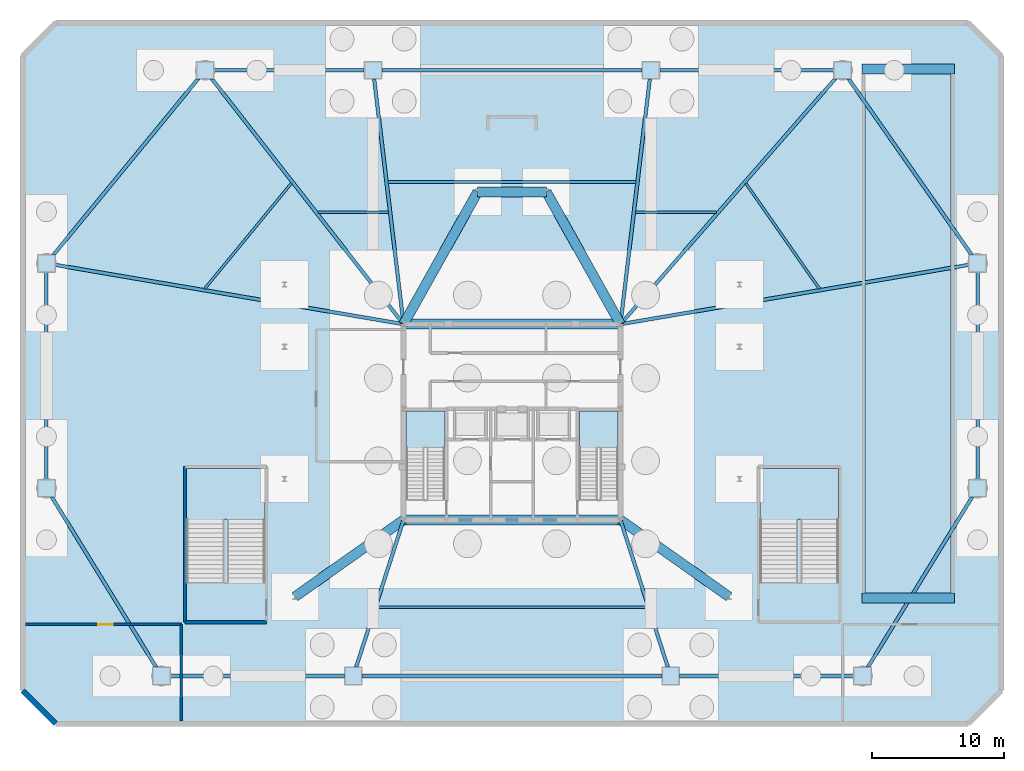
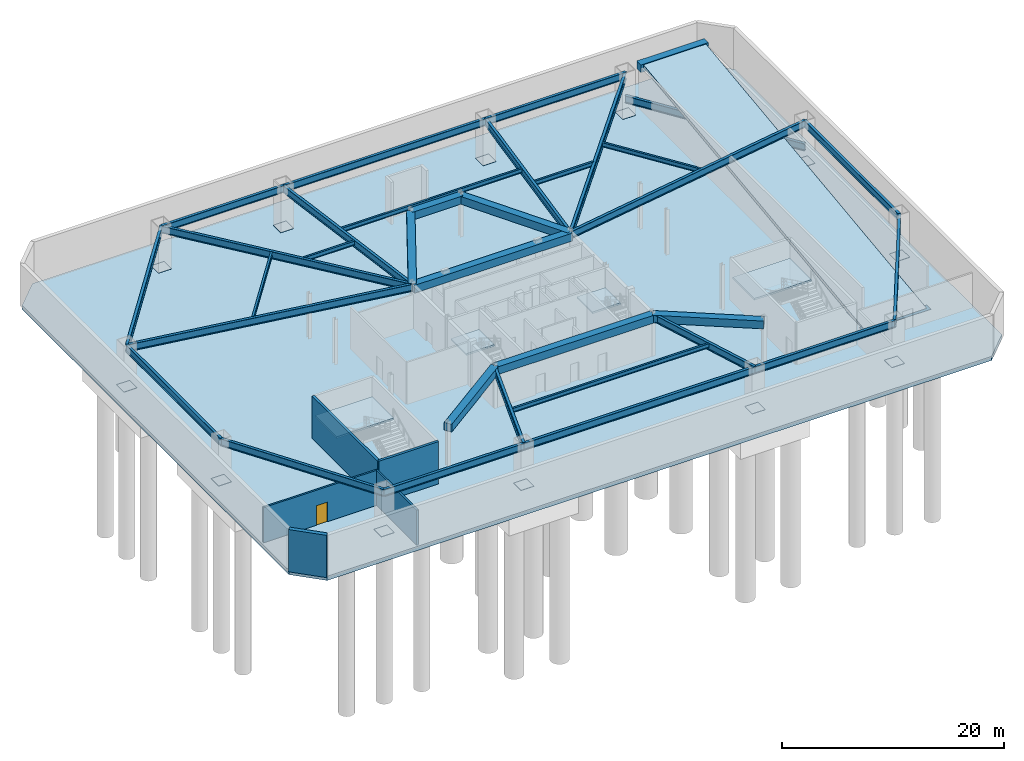
# One storey, part 6 of 12: 35 beams, 12 plates, 6 slabs, 5 walls, 1 door, 1 opening, 4 elements without a shape of their own.
"""IFC4 building model written with IfcOpenShell, lengths in metres."""

from ifc_helpers import new_model, si_unit, direction, frame, frame_2d, origin, origin_2d, place, context, subcontext, project, spatial, polyline, rectangle, i_section, outline, extrude, source, transform, mapped, material, layer, layer_set, material_profile, profile_set, type_object, type_shapes, element, fill, aggregate, save


model = new_model("IFC4")

# Units and contexts
model_context = context("Model", 3, precision=1e-05, world=origin(), true_north=direction((0.0, 1.0)))
body_context = subcontext(model_context, "Body", "Model", "MODEL_VIEW")
ifc_project = project(units=[si_unit("LENGTHUNIT", "METRE"), si_unit("AREAUNIT", "SQUARE_METRE"), si_unit("VOLUMEUNIT", "CUBIC_METRE"), si_unit("PLANEANGLEUNIT", "RADIAN"), si_unit("MASSUNIT", "GRAM", prefix="KILO")], contexts=[model_context])

# Site, building, storey
site_placement = place(None, origin())
site = spatial("IfcSite", under=ifc_project, at=site_placement, CompositionType="ELEMENT")
building_placement = place(site_placement, origin())
building = spatial("IfcBuilding", under=site, at=building_placement, Name="Varakhsha Concourse Tower", CompositionType="ELEMENT")
storey_placement = place(building_placement, frame((0.0, 0.0, -10.0)))
storey = spatial("IfcBuildingStorey", under=building, at=storey_placement, Name="B02", CompositionType="ELEMENT", Elevation=-10.0)

# Beams
ifc_material_1 = material(Name="Structural Steel ASTM A992 Grade 50", Category="steel")
ifc_material_profile_1 = material_profile(ifc_material_1, i_section(OverallWidth=0.26611328125, OverallDepth=0.779052734375, WebThickness=0.01708984375, FlangeThickness=0.030029296875, at=origin_2d()), Name="W30X148")
ifc_profile_set_1 = profile_set([ifc_material_profile_1], Name="Structural Steel ASTM A992 Grade 50")
beam_type_1 = type_object("IfcBeamType", Name="BM-BASE-W30X148", PredefinedType="USERDEFINED", material=ifc_profile_set_1)
beam_1_placement = place(storey_placement, frame((13.5, 4.60009765625, 4.25048828125), z_axis=(1.0, 0.0, 0.0), x_axis=(0.0, 1.0, 0.0)))
element("IfcBeam", 1, at=beam_1_placement, inside=storey, type_object=beam_type_1, Name="BM-PRING-B02-01", ObjectType="GIRDER", PredefinedType="USERDEFINED", context=body_context, shape_type="SweptSolid", body=[
    extrude(i_section(OverallWidth=0.26611328125, OverallDepth=0.779052734375, WebThickness=0.01708984375, FlangeThickness=0.030029296875, at=origin_2d()), origin(), (0.0, 0.0, 1.0), 14.5),
])
beam_2_placement = place(storey_placement, frame((28.0, 4.60009765625, 4.25048828125), z_axis=(1.0, 0.0, 0.0), x_axis=(0.0, 1.0, 0.0)))
element("IfcBeam", 2, at=beam_2_placement, inside=storey, type_object=beam_type_1, Name="BM-PRING-B02-02", ObjectType="GIRDER", PredefinedType="USERDEFINED", context=body_context, shape_type="SweptSolid", body=[
    extrude(i_section(OverallWidth=0.26611328125, OverallDepth=0.779052734375, WebThickness=0.01708984375, FlangeThickness=0.030029296875, at=origin_2d()), origin(), (0.0, 0.0, 1.0), 24.0),
])
beam_3_placement = place(storey_placement, frame((52.0, 4.60009765625, 4.25048828125), z_axis=(1.0, 0.0, 0.0), x_axis=(0.0, 1.0, 0.0)))
element("IfcBeam", 3, at=beam_3_placement, inside=storey, type_object=beam_type_1, Name="BM-PRING-B02-03", ObjectType="GIRDER", PredefinedType="USERDEFINED", context=body_context, shape_type="SweptSolid", body=[
    extrude(i_section(OverallWidth=0.26611328125, OverallDepth=0.779052734375, WebThickness=0.01708984375, FlangeThickness=0.030029296875, at=origin_2d()), origin(), (0.0, 0.0, 1.0), 14.5),
])
beam_4_placement = place(storey_placement, frame((66.5, 4.60009765625, 4.25048828125), z_axis=(0.522420415639, 0.852688049244, 0.0), x_axis=(-0.852688049244, 0.522420415639, 0.0)))
element("IfcBeam", 4, at=beam_4_placement, inside=storey, type_object=beam_type_1, Name="BM-PRING-B02-04", ObjectType="GIRDER", PredefinedType="USERDEFINED", context=body_context, shape_type="SweptSolid", body=[
    extrude(i_section(OverallWidth=0.26611328125, OverallDepth=0.779052734375, WebThickness=0.01708984375, FlangeThickness=0.030029296875, at=origin_2d()), origin(), (0.0, 0.0, 1.0), 16.653076171875),
])
beam_5_placement = place(storey_placement, frame((75.199951171875, 18.800048828125, 4.25048828125), z_axis=(0.0, 1.0, 0.0), x_axis=(-1.0, 0.0, 0.0)))
element("IfcBeam", 5, at=beam_5_placement, inside=storey, type_object=beam_type_1, Name="BM-PRING-B02-05", ObjectType="GIRDER", PredefinedType="USERDEFINED", context=body_context, shape_type="SweptSolid", body=[
    extrude(i_section(OverallWidth=0.26611328125, OverallDepth=0.779052734375, WebThickness=0.01708984375, FlangeThickness=0.030029296875, at=origin_2d()), origin(), (0.0, 0.0, 1.0), 17.0),
])
beam_6_placement = place(storey_placement, frame((75.199951171875, 35.800048828125, 1.660400390625), z_axis=(-0.572710457839, 0.819757727309, 0.0), x_axis=(-0.819757727309, -0.572710457839, 0.0)))
element("IfcBeam", 6, at=beam_6_placement, inside=storey, type_object=beam_type_1, Name="BM-PRING-B02-06", ObjectType="GIRDER", PredefinedType="USERDEFINED", context=body_context, shape_type="SweptSolid", body=[
    extrude(i_section(OverallWidth=0.26611328125, OverallDepth=0.779052734375, WebThickness=0.01708984375, FlangeThickness=0.030029296875, at=origin_2d()), origin(), (0.0, 0.0, 1.0), 17.81005859375),
])
beam_7_placement = place(storey_placement, frame((65.0, 50.39990234375, 4.25048828125), z_axis=(-1.0, 0.0, 0.0), x_axis=(0.0, -1.0, 0.0)))
element("IfcBeam", 7, at=beam_7_placement, inside=storey, type_object=beam_type_1, Name="BM-PRING-B02-07", ObjectType="GIRDER", PredefinedType="USERDEFINED", context=body_context, shape_type="SweptSolid", body=[
    extrude(i_section(OverallWidth=0.26611328125, OverallDepth=0.779052734375, WebThickness=0.01708984375, FlangeThickness=0.030029296875, at=origin_2d()), origin(), (0.0, 0.0, 1.0), 14.5),
])
beam_8_placement = place(storey_placement, frame((50.5, 50.39990234375, 4.25048828125), z_axis=(-1.0, 0.0, 0.0), x_axis=(0.0, -1.0, 0.0)))
element("IfcBeam", 8, at=beam_8_placement, inside=storey, type_object=beam_type_1, Name="BM-PRING-B02-08", ObjectType="GIRDER", PredefinedType="USERDEFINED", context=body_context, shape_type="SweptSolid", body=[
    extrude(i_section(OverallWidth=0.26611328125, OverallDepth=0.779052734375, WebThickness=0.01708984375, FlangeThickness=0.030029296875, at=origin_2d()), origin(), (0.0, 0.0, 1.0), 21.0),
])
beam_9_placement = place(storey_placement, frame((29.5, 50.39990234375, 4.25048828125), z_axis=(-1.0, 0.0, 0.0), x_axis=(0.0, -1.0, 0.0)))
element("IfcBeam", 9, at=beam_9_placement, inside=storey, type_object=beam_type_1, Name="BM-PRING-B02-09", ObjectType="GIRDER", PredefinedType="USERDEFINED", context=body_context, shape_type="SweptSolid", body=[
    extrude(i_section(OverallWidth=0.26611328125, OverallDepth=0.779052734375, WebThickness=0.01708984375, FlangeThickness=0.030029296875, at=origin_2d()), origin(), (0.0, 0.0, 1.0), 12.699951171875),
])
beam_10_placement = place(storey_placement, frame((16.800048828125, 50.39990234375, 4.25048828125), z_axis=(-0.634968877859, -0.772537716976, 0.0), x_axis=(0.772537716976, -0.634968877859, 0.0)))
element("IfcBeam", 10, at=beam_10_placement, inside=storey, type_object=beam_type_1, Name="BM-PRING-B02-10", ObjectType="GIRDER", PredefinedType="USERDEFINED", context=body_context, shape_type="SweptSolid", body=[
    extrude(i_section(OverallWidth=0.26611328125, OverallDepth=0.779052734375, WebThickness=0.01708984375, FlangeThickness=0.030029296875, at=origin_2d()), origin(), (0.0, 0.0, 1.0), 18.898681640625),
])
beam_11_placement = place(storey_placement, frame((4.800048828125, 35.800048828125, 4.25048828125), z_axis=(0.0, -1.0, 0.0), x_axis=(1.0, 0.0, 0.0)))
element("IfcBeam", 11, at=beam_11_placement, inside=storey, type_object=beam_type_1, Name="BM-PRING-B02-11", ObjectType="GIRDER", PredefinedType="USERDEFINED", context=body_context, shape_type="SweptSolid", body=[
    extrude(i_section(OverallWidth=0.26611328125, OverallDepth=0.779052734375, WebThickness=0.01708984375, FlangeThickness=0.030029296875, at=origin_2d()), origin(), (0.0, 0.0, 1.0), 17.0),
])
beam_12_placement = place(storey_placement, frame((4.800048828125, 18.800048828125, 4.25048828125), z_axis=(0.522420415639, -0.852688049244, 0.0), x_axis=(0.852688049244, 0.522420415639, 0.0)))
element("IfcBeam", 12, at=beam_12_placement, inside=storey, type_object=beam_type_1, Name="BM-PRING-B02-12", ObjectType="GIRDER", PredefinedType="USERDEFINED", context=body_context, shape_type="SweptSolid", body=[
    extrude(i_section(OverallWidth=0.26611328125, OverallDepth=0.779052734375, WebThickness=0.01708984375, FlangeThickness=0.030029296875, at=origin_2d()), origin(), (0.0, 0.0, 1.0), 16.653076171875),
])
for number, where, z_axis, x_axis, name in (
    (13, (31.800048828125, 16.39990234375, 4.25048828125), (-0.306539531823, -0.951857928175, 0.0), (0.951857928175, -0.306539531823, 0.0), "BM-PRAD-B02-02"),
    (14, (48.199951171875, 16.39990234375, 4.25048828125), (0.306539531823, -0.951857928175, 0.0), (0.951857928175, 0.306539531823, 0.0), "BM-PRAD-B02-03"),
):
    element("IfcBeam", number, at=place(storey_placement, frame(where, z_axis=z_axis, x_axis=x_axis)), inside=storey, type_object=beam_type_1, Name=name, ObjectType="GIRDER", PredefinedType="USERDEFINED", context=body_context, shape_type="SweptSolid", body=[
        extrude(i_section(OverallWidth=0.26611328125, OverallDepth=0.779052734375, WebThickness=0.01708984375, FlangeThickness=0.030029296875, at=origin_2d()), origin(), (0.0, 0.0, 1.0), 12.396484375),
    ])
beam_13_placement = place(storey_placement, frame((48.199951171875, 31.199951171875, 4.25048828125), z_axis=(0.985794867271, 0.167953802166, 0.0), x_axis=(-0.167953802166, 0.985794867271, 0.0)))
element("IfcBeam", 15, at=beam_13_placement, inside=storey, type_object=beam_type_1, Name="BM-PRAD-B02-06", ObjectType="GIRDER", PredefinedType="USERDEFINED", context=body_context, shape_type="SweptSolid", body=[
    extrude(i_section(OverallWidth=0.26611328125, OverallDepth=0.779052734375, WebThickness=0.01708984375, FlangeThickness=0.030029296875, at=origin_2d()), origin(), (0.0, 0.0, 1.0), 27.38916015625),
])
beam_14_placement = place(storey_placement, frame((48.199951171875, 31.199951171875, 4.25048828125), z_axis=(0.658506640328, 0.7525749163, 0.0), x_axis=(-0.7525749163, 0.658506640328, 0.0)))
element("IfcBeam", 16, at=beam_14_placement, inside=storey, type_object=beam_type_1, Name="BM-PRAD-B02-07", ObjectType="GIRDER", PredefinedType="USERDEFINED", context=body_context, shape_type="SweptSolid", body=[
    extrude(i_section(OverallWidth=0.26611328125, OverallDepth=0.779052734375, WebThickness=0.01708984375, FlangeThickness=0.030029296875, at=origin_2d()), origin(), (0.0, 0.0, 1.0), 25.512451171875),
])
for number, where, z_axis, x_axis, name in (
    (17, (48.199951171875, 31.199951171875, 4.25048828125), (0.118944087656, 0.992900953777, 0.0), (-0.992900953777, 0.118944087656, 0.0), "BM-PRAD-B02-08"),
    (18, (31.800048828125, 31.199951171875, 4.25048828125), (-0.118944087656, 0.992900953777, 0.0), (-0.992900953777, -0.118944087656, 0.0), "BM-PRAD-B02-09"),
):
    element("IfcBeam", number, at=place(storey_placement, frame(where, z_axis=z_axis, x_axis=x_axis)), inside=storey, type_object=beam_type_1, Name=name, ObjectType="GIRDER", PredefinedType="USERDEFINED", context=body_context, shape_type="SweptSolid", body=[
        extrude(i_section(OverallWidth=0.26611328125, OverallDepth=0.779052734375, WebThickness=0.01708984375, FlangeThickness=0.030029296875, at=origin_2d()), origin(), (0.0, 0.0, 1.0), 19.337158203125),
    ])
beam_15_placement = place(storey_placement, frame((31.800048828125, 31.199951171875, 4.25048828125), z_axis=(-0.615645014223, 0.788023614153, 0.0), x_axis=(-0.788023614153, -0.615645014223, 0.0)))
element("IfcBeam", 19, at=beam_15_placement, inside=storey, type_object=beam_type_1, Name="BM-PRAD-B02-10", ObjectType="GIRDER", PredefinedType="USERDEFINED", context=body_context, shape_type="SweptSolid", body=[
    extrude(i_section(OverallWidth=0.26611328125, OverallDepth=0.779052734375, WebThickness=0.01708984375, FlangeThickness=0.030029296875, at=origin_2d()), origin(), (0.0, 0.0, 1.0), 24.36474609375),
])
beam_16_placement = place(storey_placement, frame((31.800048828125, 31.199951171875, 4.25048828125), z_axis=(-0.985794867271, 0.167953802166, 0.0), x_axis=(-0.167953802166, -0.985794867271, 0.0)))
element("IfcBeam", 20, at=beam_16_placement, inside=storey, type_object=beam_type_1, Name="BM-PRAD-B02-11", ObjectType="GIRDER", PredefinedType="USERDEFINED", context=body_context, shape_type="SweptSolid", body=[
    extrude(i_section(OverallWidth=0.26611328125, OverallDepth=0.779052734375, WebThickness=0.01708984375, FlangeThickness=0.030029296875, at=origin_2d()), origin(), (0.0, 0.0, 1.0), 27.38916015625),
])
ifc_material_profile_2 = material_profile(ifc_material_1, i_section(OverallWidth=0.19091796875, OverallDepth=0.45703125, WebThickness=0.009033203125, FlangeThickness=0.013916015625, at=origin_2d()), Name="W18X50")
ifc_profile_set_2 = profile_set([ifc_material_profile_2], Name="Structural Steel ASTM A992 Grade 50")
beam_type_2 = type_object("IfcBeamType", Name="BM-JST-W18X50", PredefinedType="JOIST", material=ifc_profile_set_2)
beam_17_placement = place(storey_placement, frame((29.7919921875, 9.7919921875, 4.41162109375), z_axis=(1.0, 0.0, 0.0), x_axis=(0.0, 1.0, 0.0)))
element("IfcBeam", 21, at=beam_17_placement, inside=storey, type_object=beam_type_2, Name="BM-PJST-B02-02", PredefinedType="JOIST", context=body_context, shape_type="SweptSolid", body=[
    extrude(i_section(OverallWidth=0.19091796875, OverallDepth=0.45703125, WebThickness=0.009033203125, FlangeThickness=0.013916015625, at=origin_2d()), origin(), (0.0, 0.0, 1.0), 20.416015625),
])
beam_18_placement = place(storey_placement, frame((63.251220703125, 33.87451171875, 4.41162109375), z_axis=(-0.572714673091, 0.819754782375, 0.0), x_axis=(-0.819754782375, -0.572714673091, 0.0)))
element("IfcBeam", 22, at=beam_18_placement, inside=storey, type_object=beam_type_2, Name="BM-PJST-B02-06", PredefinedType="JOIST", context=body_context, shape_type="SweptSolid", body=[
    extrude(i_section(OverallWidth=0.19091796875, OverallDepth=0.45703125, WebThickness=0.009033203125, FlangeThickness=0.013916015625, at=origin_2d()), origin(), (0.0, 0.0, 1.0), 9.7333984375),
])
beam_19_placement = place(storey_placement, frame((55.471923828125, 39.64794921875, 4.41162109375), z_axis=(-1.0, 0.0, 0.0), x_axis=(0.0, -1.0, 0.0)))
element("IfcBeam", 23, at=beam_19_placement, inside=storey, type_object=beam_type_2, Name="BM-PJST-B02-07", PredefinedType="JOIST", context=body_context, shape_type="SweptSolid", body=[
    extrude(i_section(OverallWidth=0.19091796875, OverallDepth=0.45703125, WebThickness=0.009033203125, FlangeThickness=0.013916015625, at=origin_2d()), origin(), (0.0, 0.0, 1.0), 6.139892578125),
])
beam_20_placement = place(storey_placement, frame((49.367919921875, 41.951904296875, 4.41162109375), z_axis=(-1.0, 0.0, 0.0), x_axis=(0.0, -1.0, 0.0)))
element("IfcBeam", 24, at=beam_20_placement, inside=storey, type_object=beam_type_2, Name="BM-PJST-B02-08", PredefinedType="JOIST", context=body_context, shape_type="SweptSolid", body=[
    extrude(i_section(OverallWidth=0.19091796875, OverallDepth=0.45703125, WebThickness=0.009033203125, FlangeThickness=0.013916015625, at=origin_2d()), origin(), (0.0, 0.0, 1.0), 18.73583984375),
])
beam_21_placement = place(storey_placement, frame((30.66796875, 39.64794921875, 4.41162109375), z_axis=(-1.0, 0.0, 0.0), x_axis=(0.0, -1.0, 0.0)))
element("IfcBeam", 25, at=beam_21_placement, inside=storey, type_object=beam_type_2, Name="BM-PJST-B02-09", PredefinedType="JOIST", context=body_context, shape_type="SweptSolid", body=[
    extrude(i_section(OverallWidth=0.19091796875, OverallDepth=0.45703125, WebThickness=0.009033203125, FlangeThickness=0.013916015625, at=origin_2d()), origin(), (0.0, 0.0, 1.0), 5.347900390625),
])
beam_22_placement = place(storey_placement, frame((23.32373046875, 41.859375, 4.41162109375), z_axis=(-0.634959865375, -0.772545124483, 0.0), x_axis=(0.772545124483, -0.634959865375, 0.0)))
element("IfcBeam", 26, at=beam_22_placement, inside=storey, type_object=beam_type_2, Name="BM-PJST-B02-10", PredefinedType="JOIST", context=body_context, shape_type="SweptSolid", body=[
    extrude(i_section(OverallWidth=0.19091796875, OverallDepth=0.45703125, WebThickness=0.009033203125, FlangeThickness=0.013916015625, at=origin_2d()), origin(), (0.0, 0.0, 1.0), 10.34326171875),
])
ifc_material_2 = material(Name="Concrete fc 65 MPa", Category="concrete")
ifc_material_profile_3 = material_profile(ifc_material_2, rectangle(XDim=0.75, YDim=0.85009765625, at=origin_2d()), Name="RC 750x850")
ifc_profile_set_3 = profile_set([ifc_material_profile_3], Name="Concrete fc 65 MPa")
beam_type_3 = type_object("IfcBeamType", Name="BM-RC-750X850", PredefinedType="BEAM", material=ifc_profile_set_3)
for number, where, z_axis, x_axis, name in (
    (27, (31.800048828125, 16.39990234375, 4.215087890625), (1.0, 0.0, 0.0), (0.0, 1.0, 0.0), "BM-CORE-B02-CS"),
    (28, (31.800048828125, 31.199951171875, 4.215087890625), (1.0, 0.0, 0.0), (0.0, 1.0, 0.0), "BM-CORE-B02-CN"),
):
    element("IfcBeam", number, at=place(storey_placement, frame(where, z_axis=z_axis, x_axis=x_axis)), inside=storey, type_object=beam_type_3, Name=name, PredefinedType="BEAM", context=body_context, shape_type="SweptSolid", body=[
        extrude(rectangle(XDim=0.75, YDim=0.85009765625, at=origin_2d()), origin(), (0.0, 0.0, 1.0), 16.39990234375),
    ])
for number, where, z_axis, x_axis, name in (
    (29, (31.800048828125, 31.199951171875, 4.215087890625), (0.488593639205, 0.872511464526, 0.0), (-0.872511464526, 0.488593639205, 0.0), "BM-CORE-B02-NSW"),
    (30, (48.199951171875, 31.199951171875, 4.215087890625), (-0.488593639205, 0.872511464526, 0.0), (-0.872511464526, -0.488593639205, 0.0), "BM-CORE-B02-NSE"),
):
    element("IfcBeam", number, at=place(storey_placement, frame(where, z_axis=z_axis, x_axis=x_axis)), inside=storey, type_object=beam_type_3, Name=name, PredefinedType="BEAM", context=body_context, shape_type="SweptSolid", body=[
        extrude(rectangle(XDim=0.75, YDim=0.85009765625, at=origin_2d()), origin(), (0.0, 0.0, 1.0), 11.461181640625),
    ])
beam_23_placement = place(storey_placement, frame((37.39990234375, 41.199951171875, 4.215087890625), z_axis=(1.0, 0.0, 0.0), x_axis=(0.0, 1.0, 0.0)))
element("IfcBeam", 31, at=beam_23_placement, inside=storey, type_object=beam_type_3, Name="BM-CORE-B02-NSB", PredefinedType="BEAM", context=body_context, shape_type="SweptSolid", body=[
    extrude(rectangle(XDim=0.75, YDim=0.85009765625, at=origin_2d()), origin(), (0.0, 0.0, 1.0), 5.2001953125),
])
for number, where, z_axis, x_axis, name in (
    (32, (31.800048828125, 16.39990234375, 4.215087890625), (-0.816423186202, -0.577454051014, 0.0), (0.577454051014, -0.816423186202, 0.0), "BM-CORE-B02-SSW"),
    (33, (48.199951171875, 16.39990234375, 4.215087890625), (0.816423186202, -0.577454051014, 0.0), (0.577454051014, 0.816423186202, 0.0), "BM-CORE-B02-SSE"),
):
    element("IfcBeam", number, at=place(storey_placement, frame(where, z_axis=z_axis, x_axis=x_axis)), inside=storey, type_object=beam_type_3, Name=name, PredefinedType="BEAM", context=body_context, shape_type="SweptSolid", body=[
        extrude(rectangle(XDim=0.75, YDim=0.85009765625, at=origin_2d()), origin(), (0.0, 0.0, 1.0), 10.043701171875),
    ])
for number, where, z_axis, x_axis, name in (
    (34, (66.449951171875, 10.5, -0.425048828125), (1.0, 0.0, 0.0), (0.0, 1.0, 0.0), "B02 Vehicle Ramp Toe Support Beam"),
    (35, (66.449951171875, 50.5, 4.574951171875), (1.0, 0.0, 0.0), (0.0, 1.0, 0.0), "B02 Vehicle Ramp Head Support Beam"),
):
    element("IfcBeam", number, at=place(storey_placement, frame(where, z_axis=z_axis, x_axis=x_axis)), inside=storey, type_object=beam_type_3, Name=name, PredefinedType="BEAM", context=body_context, shape_type="SweptSolid", body=[
        extrude(rectangle(XDim=0.75, YDim=0.85009765625, at=origin_2d()), origin(), (0.0, 0.0, 1.0), 7.0),
    ])

# Slab
ifc_layer_1 = layer(ifc_material_2, 0.449951171875, Name="SL-BASE-450")
ifc_layer_set_1 = layer_set([ifc_layer_1], Name="Concrete fc 65 MPa")
slab_type_1 = type_object("IfcSlabType", Name="SL-BASE-450", PredefinedType="BASESLAB", material=ifc_layer_set_1)
slab_1_placement = place(storey_placement, frame((0.0, 0.0, -0.449951171875)))
element("IfcSlab", 36, at=slab_1_placement, inside=storey, type_object=slab_type_1, Name="B02 Composite Structural Slab", PredefinedType="BASESLAB", context=body_context, shape_type="SweptSolid", body=[
    extrude(outline(polyline([(5.5, 1.0), (74.5, 1.0), (77.0, 3.5), (77.0, 51.5), (74.5, 54.0), (5.5, 54.0), (3.0, 51.5), (3.0, 3.5), (5.5, 1.0)]), holes=[polyline([(66.64990234375, 10.35009765625), (73.25, 10.35009765625), (73.25, 13.5), (66.64990234375, 13.5), (66.64990234375, 10.35009765625)])]), origin(), (0.0, 0.0, 1.0), 0.449951171875),
])

# Stair, slab
ifc_material_3 = material(Name="Concrete fc 45 MPa", Category="concrete")
stair_type_1 = type_object("IfcStairType", Name="ST-DOGLEG-1360", PredefinedType="HALF_TURN_STAIR", material=ifc_material_3)
stair_1_placement = place(storey_placement, origin())
stair_1 = element("IfcStair", 37, at=stair_1_placement, inside=storey, type_object=stair_type_1, Name="B02 Protected Exit Stair ST1", PredefinedType="HALF_TURN_STAIR")
ifc_layer_2 = layer(ifc_material_3, 0.199951171875, Name="SL-LAND-200")
ifc_layer_set_2 = layer_set([ifc_layer_2], Name="Concrete fc 45 MPa")
slab_type_2 = type_object("IfcSlabType", Name="SL-LAND-200", PredefinedType="LANDING", material=ifc_layer_set_2)
slab_2_placement = place(storey_placement, frame((0.0, 0.0, 2.300048828125)))
slab_2 = element("IfcSlab", 38, at=slab_2_placement, type_object=slab_type_2, Name="ST1 landing 1", PredefinedType="LANDING", context=body_context, shape_type="SweptSolid", body=[
    extrude(outline(polyline([(34.919921875, 21.860107421875), (34.919921875, 24.6298828125), (32.0, 24.6298828125), (32.0, 21.860107421875), (34.919921875, 21.860107421875)])), origin(), (0.0, 0.0, 1.0), 0.199951171875),
])
aggregate(stair_1, [slab_2])

stair_2_placement = place(storey_placement, origin())
stair_2 = element("IfcStair", 39, at=stair_2_placement, inside=storey, type_object=stair_type_1, Name="B02 Protected Exit Stair ST2", PredefinedType="HALF_TURN_STAIR")
slab_3_placement = place(storey_placement, frame((0.0, 0.0, 2.300048828125)))
slab_3 = element("IfcSlab", 40, at=slab_3_placement, type_object=slab_type_2, Name="ST2 landing 1", PredefinedType="LANDING", context=body_context, shape_type="SweptSolid", body=[
    extrude(outline(polyline([(48.02001953125, 21.860107421875), (48.02001953125, 24.6298828125), (45.10009765625, 24.6298828125), (45.10009765625, 21.860107421875), (48.02001953125, 21.860107421875)])), origin(), (0.0, 0.0, 1.0), 0.199951171875),
])
aggregate(stair_2, [slab_3])

stair_type_2 = type_object("IfcStairType", Name="ST-DOGLEG-2860", PredefinedType="HALF_TURN_STAIR", material=ifc_material_3)
stair_3_placement = place(storey_placement, origin())
stair_3 = element("IfcStair", 41, at=stair_3_placement, inside=storey, type_object=stair_type_2, Name="B02 Protected Exit Stair ST3", PredefinedType="HALF_TURN_STAIR")
slab_4_placement = place(storey_placement, frame((0.0, 0.0, 2.300048828125)))
slab_4 = element("IfcSlab", 42, at=slab_4_placement, type_object=slab_type_2, Name="ST3 landing 1", PredefinedType="LANDING", context=body_context, shape_type="SweptSolid", body=[
    extrude(outline(polyline([(21.320068359375, 16.419921875), (21.320068359375, 20.300048828125), (15.39990234375, 20.300048828125), (15.39990234375, 16.419921875), (21.320068359375, 16.419921875)])), origin(), (0.0, 0.0, 1.0), 0.199951171875),
])
aggregate(stair_3, [slab_4])

stair_4_placement = place(storey_placement, origin())
stair_4 = element("IfcStair", 43, at=stair_4_placement, inside=storey, type_object=stair_type_2, Name="B02 Protected Exit Stair ST4", PredefinedType="HALF_TURN_STAIR")
slab_5_placement = place(storey_placement, frame((0.0, 0.0, 2.300048828125)))
slab_5 = element("IfcSlab", 44, at=slab_5_placement, type_object=slab_type_2, Name="ST4 landing 1", PredefinedType="LANDING", context=body_context, shape_type="SweptSolid", body=[
    extrude(outline(polyline([(64.679931640625, 16.419921875), (64.679931640625, 20.300048828125), (58.760009765625, 20.300048828125), (58.760009765625, 16.419921875), (64.679931640625, 16.419921875)])), origin(), (0.0, 0.0, 1.0), 0.199951171875),
])
aggregate(stair_4, [slab_5])

# Slab
ifc_layer_3 = layer(ifc_material_2, 0.35009765625, Name="SL-VRAMP-350")
ifc_layer_set_3 = layer_set([ifc_layer_3], Name="Concrete fc 65 MPa")
slab_type_3 = type_object("IfcSlabType", Name="SL-VRAMP-350", PredefinedType="FLOOR", material=ifc_layer_set_3)
slab_6_placement = place(storey_placement, frame((66.699951171875, 10.419921875, 0.0), z_axis=(0.0, -0.123547656769, 0.992338640035), x_axis=(1.0, 0.0, 0.0)))
element("IfcSlab", 45, at=slab_6_placement, inside=storey, type_object=slab_type_3, Name="B02 Structural Vehicle Ramp Slab VRAMP-B02-B01", PredefinedType="FLOOR", context=body_context, shape_type="SweptSolid", body=[
    extrude(outline(polyline([(0.0, 0.0), (6.5, 0.0), (6.5, 40.47021312057072), (0.0, 40.47021312057072), (0.0, 0.0)])), origin(), (0.0, 0.0, -1.0), 0.35009765625),
])

# Plates
ifc_material_4 = material(Name="Structural Steel ASTM A572 Grade 50", Category="steel")
ifc_layer_4 = layer(ifc_material_4, 0.034912109375, Name="PL-ENDCAP-1350")
ifc_layer_set_4 = layer_set([ifc_layer_4], Name="Structural Steel ASTM A572 Grade 50")
plate_type = type_object("IfcPlateType", Name="PL-ENDCAP-1350", PredefinedType="USERDEFINED", material=ifc_layer_set_4)
shared_shape = source(origin(), body_context, "Body", "SweptSolid", [
    extrude(rectangle(XDim=1.35009765625, YDim=1.35009765625, at=origin_2d()), origin(), (0.0, 0.0, 1.0), 0.034912109375),
])
type_shapes(plate_type, [shared_shape])
for number, where, z_axis, x_axis, name in (
    (46, (13.5, 4.60009765625, -0.017578125), (0.0, 0.0, 1.0), (1.0, 0.0, 0.0), "Hollow Section End Cap EP-PC-S1-BASE"),
    (47, (28.0, 4.60009765625, -0.017578125), (0.0, 0.0, 1.0), (1.0, 0.0, 0.0), "Hollow Section End Cap EP-PC-S2-BASE"),
    (48, (52.0, 4.60009765625, -0.017578125), (0.0, 0.0, 1.0), (1.0, 0.0, 0.0), "Hollow Section End Cap EP-PC-S3-BASE"),
    (49, (66.5, 4.60009765625, -0.017578125), (0.0, 0.0, 1.0), (1.0, 0.0, 0.0), "Hollow Section End Cap EP-PC-S4-BASE"),
    (50, (4.800048828125, 18.800048828125, -0.017578125), (0.0, 0.0, 1.0), (1.0, 0.0, 0.0), "Hollow Section End Cap EP-PC-W1-BASE"),
    (51, (4.800048828125, 35.800048828125, -0.017578125), (0.0, 0.0, 1.0), (1.0, 0.0, 0.0), "Hollow Section End Cap EP-PC-W2-BASE"),
    (52, (75.199951171875, 18.800048828125, -0.017578125), (0.0, 0.0, 1.0), (1.0, 0.0, 0.0), "Hollow Section End Cap EP-PC-E1-BASE"),
    (53, (75.199951171875, 35.800048828125, -0.017578125), (0.0, 0.0, 1.0), (1.0, 0.0, 0.0), "Hollow Section End Cap EP-PC-E2-BASE"),
    (54, (16.800048828125, 50.39990234375, -0.017578125), (0.0, 0.0, 1.0), (1.0, 0.0, 0.0), "Hollow Section End Cap EP-PC-N1-BASE"),
    (55, (29.5, 50.39990234375, -0.017578125), (0.0, 0.0, 1.0), (1.0, 0.0, 0.0), "Hollow Section End Cap EP-PC-N2-BASE"),
    (56, (50.5, 50.39990234375, -0.017578125), (0.0, 0.0, 1.0), (1.0, 0.0, 0.0), "Hollow Section End Cap EP-PC-N3-BASE"),
    (57, (65.0, 50.39990234375, -0.017578125), (0.0, 0.0, 1.0), (1.0, 0.0, 0.0), "Hollow Section End Cap EP-PC-N4-BASE"),
):
    element("IfcPlate", number, at=place(storey_placement, frame(where, z_axis=z_axis, x_axis=x_axis)), inside=storey, type_object=plate_type, Name=name, ObjectType="END PLATE", PredefinedType="USERDEFINED", context=body_context, shape_type="MappedRepresentation", body=[
        mapped(shared_shape, transform((0.0, 0.0, 0.0), scale=1.0)),
    ])

# Walls
ifc_layer_5 = layer(ifc_material_3, 0.39990234375, Name="WL-BSMT-400")
ifc_layer_set_5 = layer_set([ifc_layer_5], Name="Concrete fc 45 MPa")
wall_type_1 = type_object("IfcWallType", Name="WL-BSMT-400", PredefinedType="USERDEFINED", material=ifc_layer_set_5)
wall_1_placement = place(storey_placement, frame((3.0, 3.5, 0.0), z_axis=(0.0, 0.0, 1.0), x_axis=(0.707106781187, -0.707106781187, 0.0)))
element("IfcWall", 58, at=wall_1_placement, inside=storey, type_object=wall_type_1, Name="B02 Perimeter Basement Retaining Wall 08", ObjectType="RETAINING WALL", PredefinedType="USERDEFINED", context=body_context, shape_type="SweptSolid", body=[
    extrude(rectangle(XDim=3.53564453125, YDim=0.39990234375, at=frame_2d((1.767822265625, 0.0))), origin(), (0.0, 0.0, 1.0), 4.639892578125),
])
ifc_material_5 = material(Name="Fire-Rated Type X Gypsum Partition Assembly", Category="gypsum")
ifc_layer_6 = layer(ifc_material_5, 0.179931640625, Name="WL-PART-180")
ifc_layer_set_6 = layer_set([ifc_layer_6], Name="Fire-Rated Type X Gypsum Partition Assembly")
wall_type_2 = type_object("IfcWallType", Name="WL-PART-180", PredefinedType="PARTITIONING", material=ifc_layer_set_6)
wall_2_placement = place(storey_placement, frame((15.0, 1.199951171875, 0.0), z_axis=(0.0, 0.0, 1.0), x_axis=(0.0, 1.0, 0.0)))
element("IfcWall", 59, at=wall_2_placement, inside=storey, type_object=wall_type_2, Name="B02 Wall BWALL-PLA-E-B02", PredefinedType="PARTITIONING", context=body_context, shape_type="SweptSolid", body=[
    extrude(rectangle(XDim=7.300048828125, YDim=0.179931640625, at=frame_2d((3.64990234375, 0.0))), origin(), (0.0, 0.0, 1.0), 3.85107421875),
])

# Wall, opening, door
wall_3_placement = place(storey_placement, frame((3.199951171875, 8.5, 0.0), z_axis=(0.0, 0.0, 1.0), x_axis=(1.0, 0.0, 0.0)))
wall_3 = element("IfcWall", 60, at=wall_3_placement, inside=storey, type_object=wall_type_2, Name="B02 Wall BWALL-PLA-B02", PredefinedType="PARTITIONING", context=body_context, shape_type="SweptSolid", body=[
    extrude(rectangle(XDim=11.800048828125, YDim=0.179931640625, at=frame_2d((5.89990234375, 0.0))), origin(), (0.0, 0.0, 1.0), 3.85107421875),
])
opening_placement = place(wall_3_placement, frame((5.5, 0.0, 0.0)))
opening = element("IfcOpeningElement", 61, at=opening_placement, cuts=wall_3, Name="Opening DF-02", PredefinedType="OPENING", context=body_context, shape_type="SweptSolid", body=[
    extrude(rectangle(XDim=1.10009765625, YDim=2.14990234375, at=frame_2d((0.550048828125, 1.074951171875))), frame((0.0, 0.099853515625, 0.0), z_axis=(0.0, -1.0, 0.0), x_axis=(1.0, 0.0, 0.0)), (0.0, 0.0, 1.0), 0.199951171875),
])
ifc_material_6 = material(Name="Hollow Galvanised Steel Fire Door Assembly", Category="steel")
door_type = type_object("IfcDoorType", Name="DR-FD90-1100", OperationType="NOTDEFINED", PredefinedType="DOOR", material=ifc_material_6)
door_placement = place(opening_placement, origin())
door = element("IfcDoor", 62, at=door_placement, inside=storey, type_object=door_type, Name="B02 Central Chiller and Cooling Plant Room Door", OperationType="SINGLE_SWING_LEFT", OverallHeight=2.14990234375, OverallWidth=1.10009765625, PredefinedType="DOOR", context=body_context, shape_type="SweptSolid", body=[
    extrude(rectangle(XDim=1.10009765625, YDim=2.14990234375, at=frame_2d((0.550048828125, 1.074951171875))), frame((0.0, 0.02490234375, 0.0), z_axis=(0.0, -1.0, 0.0), x_axis=(1.0, 0.0, 0.0)), (0.0, 0.0, 1.0), 0.050048828125),
])
fill(opening, door)

# Walls
ifc_layer_7 = layer(ifc_material_3, 0.25, Name="WL-STAIR-250")
ifc_layer_set_7 = layer_set([ifc_layer_7], Name="Concrete fc 45 MPa")
wall_type_3 = type_object("IfcWallType", Name="WL-STAIR-250", PredefinedType="SHEAR", material=ifc_layer_set_7)
wall_4_placement = place(storey_placement, frame((15.27490234375, 8.675048828125, 0.0), z_axis=(0.0, 0.0, 1.0), x_axis=(1.0, 0.0, 0.0)))
element("IfcWall", 63, at=wall_4_placement, inside=storey, type_object=wall_type_3, Name="B02 Wall ST3W-S-B02", PredefinedType="SHEAR", context=body_context, shape_type="SweptSolid", body=[
    extrude(rectangle(XDim=6.170166015625, YDim=0.25, at=frame_2d((3.0849609375, 0.0))), origin(), (0.0, 0.0, 1.0), 4.639892578125),
])
wall_5_placement = place(storey_placement, frame((15.27490234375, 8.675048828125, 0.0), z_axis=(0.0, 0.0, 1.0), x_axis=(0.0, 1.0, 0.0)))
element("IfcWall", 64, at=wall_5_placement, inside=storey, type_object=wall_type_3, Name="B02 Wall ST3W-W-B02", PredefinedType="SHEAR", context=body_context, shape_type="SweptSolid", body=[
    extrude(rectangle(XDim=11.75, YDim=0.25, at=frame_2d((5.875, 0.0))), origin(), (0.0, 0.0, 1.0), 4.639892578125),
])

save(model, "model.ifc")
